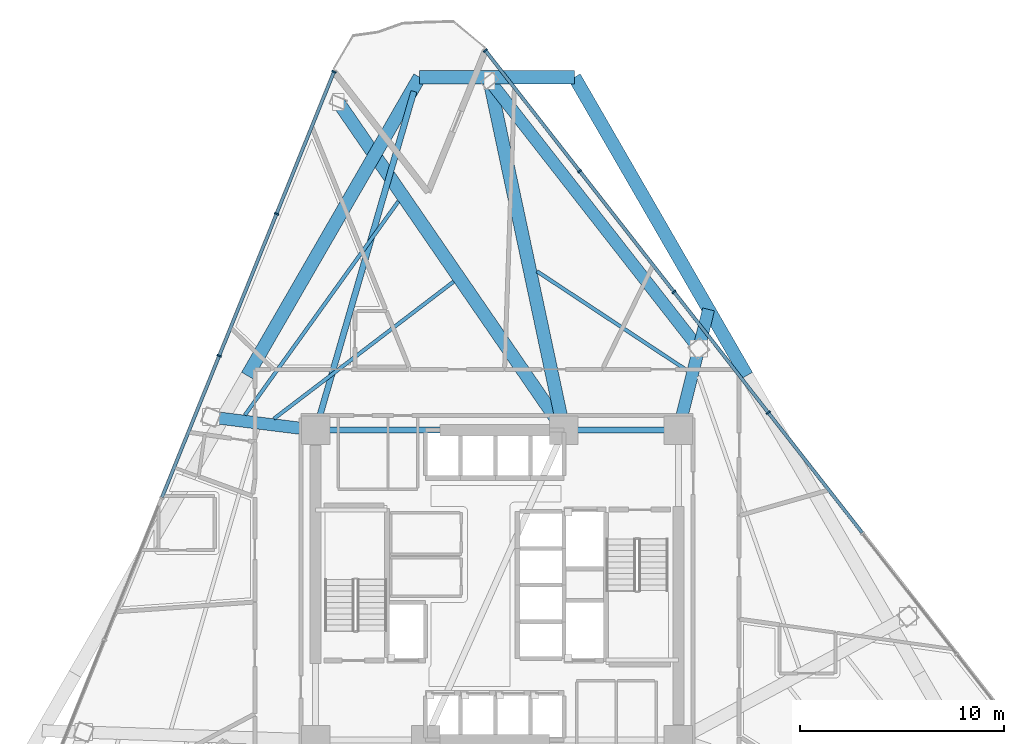
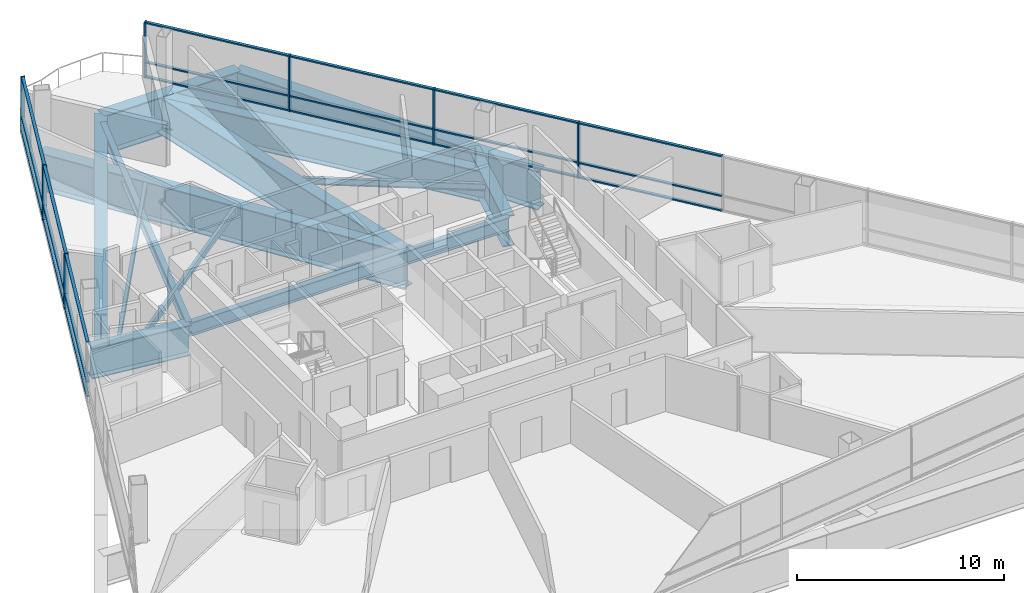
# One storey, part 5 of 15: 28 members, 14 beams, 2 elements without a shape of their own.
"""IFC4 building model written with IfcOpenShell, lengths in metres."""

from ifc_helpers import new_model, si_unit, direction, frame, origin, origin_2d, place, context, subcontext, project, spatial, rectangle, i_section, extrude, material, layer, layer_set, material_profile, profile_set, type_object, element, aggregate, save


model = new_model("IFC4")

# Units and contexts
model_context = context("Model", 3, precision=1e-05, world=origin(), true_north=direction((0.0, 1.0)))
body_context = subcontext(model_context, "Body", "Model", "MODEL_VIEW")
ifc_project = project(units=[si_unit("LENGTHUNIT", "METRE"), si_unit("AREAUNIT", "SQUARE_METRE"), si_unit("VOLUMEUNIT", "CUBIC_METRE"), si_unit("PLANEANGLEUNIT", "RADIAN"), si_unit("MASSUNIT", "GRAM", prefix="KILO")], contexts=[model_context])

# Site, building, storey
site_placement = place(None, origin())
site = spatial("IfcSite", under=ifc_project, at=site_placement, CompositionType="ELEMENT")
building_placement = place(site_placement, origin())
building = spatial("IfcBuilding", under=site, at=building_placement, Name="Tharavind Bronze Gate", CompositionType="ELEMENT")
storey_placement = place(building_placement, frame((0.0, 0.0, 57.0)))
storey = spatial("IfcBuildingStorey", under=building, at=storey_placement, Name="L13", CompositionType="ELEMENT", Elevation=57.0)

# Curtain wall, members
ifc_material_1 = material(Name="Anodised Bronze Aluminium", Category="aluminium")
ifc_layer = layer(ifc_material_1, 0.219970703125)
ifc_layer_set = layer_set([ifc_layer], Name="Anodised Bronze Aluminium")
curtain_wall_type = type_object("IfcCurtainWallType", Name="UNITISED CURTAIN WALL HOTEL", PredefinedType="USERDEFINED", material=ifc_layer_set)
curtain_wall_1_placement = place(storey_placement, origin())
curtain_wall_1 = element("IfcCurtainWall", 1, at=curtain_wall_1_placement, inside=storey, type_object=curtain_wall_type, Name="L13 unitised curtain wall hotel CW-L13-S1", ObjectType="UNITISED CURTAIN WALL", PredefinedType="USERDEFINED")
member_type_1 = type_object("IfcMemberType", Name="CURTAIN WALL MULLION 80X220", PredefinedType="MULLION", material=ifc_material_1)
member_1_placement = place(storey_placement, frame((-8.000732421875, 25.18310546875, 0.0), z_axis=(0.0, 0.0, 1.0), x_axis=(-0.374606593416, -0.927183854567, 0.0)))
member_1 = element("IfcMember", 2, at=member_1_placement, type_object=member_type_1, Name="CW-L13-S1 mullion 1", PredefinedType="MULLION", context=body_context, shape_type="SweptSolid", body=[
    extrude(rectangle(XDim=0.080078125, YDim=0.219970703125, at=origin_2d()), origin(), (0.0, 0.0, 1.0), 3.27490234375),
])
member_2_placement = place(storey_placement, frame((-10.81591796875, 18.215087890625, 0.0), z_axis=(0.0, 0.0, 1.0), x_axis=(-0.374606593416, -0.927183854567, 0.0)))
member_2 = element("IfcMember", 3, at=member_2_placement, type_object=member_type_1, Name="CW-L13-S1 mullion 2", PredefinedType="MULLION", context=body_context, shape_type="SweptSolid", body=[
    extrude(rectangle(XDim=0.080078125, YDim=0.219970703125, at=origin_2d()), origin(), (0.0, 0.0, 1.0), 3.27490234375),
])
member_3_placement = place(storey_placement, frame((-13.631103515625, 11.247314453125, 0.0), z_axis=(0.0, 0.0, 1.0), x_axis=(-0.374606593416, -0.927183854567, 0.0)))
member_3 = element("IfcMember", 4, at=member_3_placement, type_object=member_type_1, Name="CW-L13-S1 mullion 3", PredefinedType="MULLION", context=body_context, shape_type="SweptSolid", body=[
    extrude(rectangle(XDim=0.080078125, YDim=0.219970703125, at=origin_2d()), origin(), (0.0, 0.0, 1.0), 3.27490234375),
])

curtain_wall_2_placement = place(storey_placement, origin())
curtain_wall_2 = element("IfcCurtainWall", 5, at=curtain_wall_2_placement, inside=storey, type_object=curtain_wall_type, Name="L13 unitised curtain wall hotel CW-L13-S3", ObjectType="UNITISED CURTAIN WALL", PredefinedType="USERDEFINED")
member_4_placement = place(storey_placement, frame((13.306396484375, 8.4609375, 0.0), z_axis=(0.0, 0.0, 1.0), x_axis=(-0.615661475326, 0.788010753607, 0.0)))
member_4 = element("IfcMember", 6, at=member_4_placement, type_object=member_type_1, Name="CW-L13-S3 mullion 5", PredefinedType="MULLION", context=body_context, shape_type="SweptSolid", body=[
    extrude(rectangle(XDim=0.080078125, YDim=0.219970703125, at=origin_2d()), origin(), (0.0, 0.0, 1.0), 3.27490234375),
])
member_5_placement = place(storey_placement, frame((8.6796875, 14.383056640625, 0.0), z_axis=(0.0, 0.0, 1.0), x_axis=(-0.615661475326, 0.788010753607, 0.0)))
member_5 = element("IfcMember", 7, at=member_5_placement, type_object=member_type_1, Name="CW-L13-S3 mullion 6", PredefinedType="MULLION", context=body_context, shape_type="SweptSolid", body=[
    extrude(rectangle(XDim=0.080078125, YDim=0.219970703125, at=origin_2d()), origin(), (0.0, 0.0, 1.0), 3.27490234375),
])
member_6_placement = place(storey_placement, frame((4.052978515625, 20.304931640625, 0.0), z_axis=(0.0, 0.0, 1.0), x_axis=(-0.615661475326, 0.788010753607, 0.0)))
member_6 = element("IfcMember", 8, at=member_6_placement, type_object=member_type_1, Name="CW-L13-S3 mullion 7", PredefinedType="MULLION", context=body_context, shape_type="SweptSolid", body=[
    extrude(rectangle(XDim=0.080078125, YDim=0.219970703125, at=origin_2d()), origin(), (0.0, 0.0, 1.0), 3.27490234375),
])
member_7_placement = place(storey_placement, frame((-0.57373046875, 26.226806640625, 0.0), z_axis=(0.0, 0.0, 1.0), x_axis=(-0.615661475326, 0.788010753607, 0.0)))
member_7 = element("IfcMember", 9, at=member_7_placement, type_object=member_type_1, Name="CW-L13-S3 mullion 8", PredefinedType="MULLION", context=body_context, shape_type="SweptSolid", body=[
    extrude(rectangle(XDim=0.080078125, YDim=0.219970703125, at=origin_2d()), origin(), (0.0, 0.0, 1.0), 3.27490234375),
])

# Member
member_type_2 = type_object("IfcMemberType", Name="CURTAIN WALL TRANSOM 80X160", PredefinedType="USERDEFINED", material=ifc_material_1)
member_8_placement = place(storey_placement, frame((-9.408203125, 21.69921875, 0.0), z_axis=(0.0, 0.0, 1.0), x_axis=(-0.374606593416, -0.927183854567, 0.0)))
member_8 = element("IfcMember", 10, at=member_8_placement, type_object=member_type_2, Name="CW-L13-S1 transom TB1", ObjectType="TRANSOM", PredefinedType="USERDEFINED", context=body_context, shape_type="SweptSolid", body=[
    extrude(rectangle(XDim=7.447021484375, YDim=0.159912109375, at=origin_2d()), origin(), (0.0, 0.0, 1.0), 0.080078125),
])

member_9_placement = place(storey_placement, frame((-9.408203125, 21.69921875, 0.85986328125), z_axis=(0.0, 0.0, 1.0), x_axis=(-0.374606593416, -0.927183854567, 0.0)))
member_9 = element("IfcMember", 11, at=member_9_placement, type_object=member_type_2, Name="CW-L13-S1 transom TS1", ObjectType="TRANSOM", PredefinedType="USERDEFINED", context=body_context, shape_type="SweptSolid", body=[
    extrude(rectangle(XDim=7.447021484375, YDim=0.159912109375, at=origin_2d()), origin(), (0.0, 0.0, 1.0), 0.080078125),
])

member_10_placement = place(storey_placement, frame((-9.408203125, 21.69921875, 3.195068359375), z_axis=(0.0, 0.0, 1.0), x_axis=(-0.374606593416, -0.927183854567, 0.0)))
member_10 = element("IfcMember", 12, at=member_10_placement, type_object=member_type_2, Name="CW-L13-S1 transom TT1", ObjectType="TRANSOM", PredefinedType="USERDEFINED", context=body_context, shape_type="SweptSolid", body=[
    extrude(rectangle(XDim=7.447021484375, YDim=0.159912109375, at=origin_2d()), origin(), (0.0, 0.0, 1.0), 0.080078125),
])

member_11_placement = place(storey_placement, frame((-12.223388671875, 14.731201171875, 0.0), z_axis=(0.0, 0.0, 1.0), x_axis=(-0.374606593416, -0.927183854567, 0.0)))
member_11 = element("IfcMember", 13, at=member_11_placement, type_object=member_type_2, Name="CW-L13-S1 transom TB2", ObjectType="TRANSOM", PredefinedType="USERDEFINED", context=body_context, shape_type="SweptSolid", body=[
    extrude(rectangle(XDim=7.447021484375, YDim=0.159912109375, at=origin_2d()), origin(), (0.0, 0.0, 1.0), 0.080078125),
])

member_12_placement = place(storey_placement, frame((-12.223388671875, 14.731201171875, 0.85986328125), z_axis=(0.0, 0.0, 1.0), x_axis=(-0.374606593416, -0.927183854567, 0.0)))
member_12 = element("IfcMember", 14, at=member_12_placement, type_object=member_type_2, Name="CW-L13-S1 transom TS2", ObjectType="TRANSOM", PredefinedType="USERDEFINED", context=body_context, shape_type="SweptSolid", body=[
    extrude(rectangle(XDim=7.447021484375, YDim=0.159912109375, at=origin_2d()), origin(), (0.0, 0.0, 1.0), 0.080078125),
])

member_13_placement = place(storey_placement, frame((-12.223388671875, 14.731201171875, 3.195068359375), z_axis=(0.0, 0.0, 1.0), x_axis=(-0.374606593416, -0.927183854567, 0.0)))
member_13 = element("IfcMember", 15, at=member_13_placement, type_object=member_type_2, Name="CW-L13-S1 transom TT2", ObjectType="TRANSOM", PredefinedType="USERDEFINED", context=body_context, shape_type="SweptSolid", body=[
    extrude(rectangle(XDim=7.447021484375, YDim=0.159912109375, at=origin_2d()), origin(), (0.0, 0.0, 1.0), 0.080078125),
])

member_14_placement = place(storey_placement, frame((-15.038818359375, 7.763427734375, 0.0), z_axis=(0.0, 0.0, 1.0), x_axis=(-0.374606593416, -0.927183854567, 0.0)))
member_14 = element("IfcMember", 16, at=member_14_placement, type_object=member_type_2, Name="CW-L13-S1 transom TB3", ObjectType="TRANSOM", PredefinedType="USERDEFINED", context=body_context, shape_type="SweptSolid", body=[
    extrude(rectangle(XDim=7.447021484375, YDim=0.159912109375, at=origin_2d()), origin(), (0.0, 0.0, 1.0), 0.080078125),
])

member_15_placement = place(storey_placement, frame((-15.038818359375, 7.763427734375, 0.85986328125), z_axis=(0.0, 0.0, 1.0), x_axis=(-0.374606593416, -0.927183854567, 0.0)))
member_15 = element("IfcMember", 17, at=member_15_placement, type_object=member_type_2, Name="CW-L13-S1 transom TS3", ObjectType="TRANSOM", PredefinedType="USERDEFINED", context=body_context, shape_type="SweptSolid", body=[
    extrude(rectangle(XDim=7.447021484375, YDim=0.159912109375, at=origin_2d()), origin(), (0.0, 0.0, 1.0), 0.080078125),
])

member_16_placement = place(storey_placement, frame((-15.038818359375, 7.763427734375, 3.195068359375), z_axis=(0.0, 0.0, 1.0), x_axis=(-0.374606593416, -0.927183854567, 0.0)))
member_16 = element("IfcMember", 18, at=member_16_placement, type_object=member_type_2, Name="CW-L13-S1 transom TT3", ObjectType="TRANSOM", PredefinedType="USERDEFINED", context=body_context, shape_type="SweptSolid", body=[
    extrude(rectangle(XDim=7.447021484375, YDim=0.159912109375, at=origin_2d()), origin(), (0.0, 0.0, 1.0), 0.080078125),
])

aggregate(curtain_wall_1, [member_1, member_2, member_3, member_8, member_9, member_10, member_11, member_12, member_13, member_14, member_15, member_16])

member_17_placement = place(storey_placement, frame((15.619873046875, 5.5, 0.0), z_axis=(0.0, 0.0, 1.0), x_axis=(-0.615661475326, 0.788010753607, 0.0)))
member_17 = element("IfcMember", 19, at=member_17_placement, type_object=member_type_2, Name="CW-L13-S3 transom TB4", ObjectType="TRANSOM", PredefinedType="USERDEFINED", context=body_context, shape_type="SweptSolid", body=[
    extrude(rectangle(XDim=7.447021484375, YDim=0.159912109375, at=origin_2d()), origin(), (0.0, 0.0, 1.0), 0.080078125),
])

member_18_placement = place(storey_placement, frame((15.619873046875, 5.5, 0.85986328125), z_axis=(0.0, 0.0, 1.0), x_axis=(-0.615661475326, 0.788010753607, 0.0)))
member_18 = element("IfcMember", 20, at=member_18_placement, type_object=member_type_2, Name="CW-L13-S3 transom TS4", ObjectType="TRANSOM", PredefinedType="USERDEFINED", context=body_context, shape_type="SweptSolid", body=[
    extrude(rectangle(XDim=7.447021484375, YDim=0.159912109375, at=origin_2d()), origin(), (0.0, 0.0, 1.0), 0.080078125),
])

member_19_placement = place(storey_placement, frame((15.619873046875, 5.5, 3.195068359375), z_axis=(0.0, 0.0, 1.0), x_axis=(-0.615661475326, 0.788010753607, 0.0)))
member_19 = element("IfcMember", 21, at=member_19_placement, type_object=member_type_2, Name="CW-L13-S3 transom TT4", ObjectType="TRANSOM", PredefinedType="USERDEFINED", context=body_context, shape_type="SweptSolid", body=[
    extrude(rectangle(XDim=7.447021484375, YDim=0.159912109375, at=origin_2d()), origin(), (0.0, 0.0, 1.0), 0.080078125),
])

member_20_placement = place(storey_placement, frame((10.9931640625, 11.422119140625, 0.0), z_axis=(0.0, 0.0, 1.0), x_axis=(-0.615661475326, 0.788010753607, 0.0)))
member_20 = element("IfcMember", 22, at=member_20_placement, type_object=member_type_2, Name="CW-L13-S3 transom TB5", ObjectType="TRANSOM", PredefinedType="USERDEFINED", context=body_context, shape_type="SweptSolid", body=[
    extrude(rectangle(XDim=7.447021484375, YDim=0.159912109375, at=origin_2d()), origin(), (0.0, 0.0, 1.0), 0.080078125),
])

member_21_placement = place(storey_placement, frame((10.9931640625, 11.422119140625, 0.85986328125), z_axis=(0.0, 0.0, 1.0), x_axis=(-0.615661475326, 0.788010753607, 0.0)))
member_21 = element("IfcMember", 23, at=member_21_placement, type_object=member_type_2, Name="CW-L13-S3 transom TS5", ObjectType="TRANSOM", PredefinedType="USERDEFINED", context=body_context, shape_type="SweptSolid", body=[
    extrude(rectangle(XDim=7.447021484375, YDim=0.159912109375, at=origin_2d()), origin(), (0.0, 0.0, 1.0), 0.080078125),
])

member_22_placement = place(storey_placement, frame((10.9931640625, 11.422119140625, 3.195068359375), z_axis=(0.0, 0.0, 1.0), x_axis=(-0.615661475326, 0.788010753607, 0.0)))
member_22 = element("IfcMember", 24, at=member_22_placement, type_object=member_type_2, Name="CW-L13-S3 transom TT5", ObjectType="TRANSOM", PredefinedType="USERDEFINED", context=body_context, shape_type="SweptSolid", body=[
    extrude(rectangle(XDim=7.447021484375, YDim=0.159912109375, at=origin_2d()), origin(), (0.0, 0.0, 1.0), 0.080078125),
])

member_23_placement = place(storey_placement, frame((6.366455078125, 17.343994140625, 0.0), z_axis=(0.0, 0.0, 1.0), x_axis=(-0.615661475326, 0.788010753607, 0.0)))
member_23 = element("IfcMember", 25, at=member_23_placement, type_object=member_type_2, Name="CW-L13-S3 transom TB6", ObjectType="TRANSOM", PredefinedType="USERDEFINED", context=body_context, shape_type="SweptSolid", body=[
    extrude(rectangle(XDim=7.447021484375, YDim=0.159912109375, at=origin_2d()), origin(), (0.0, 0.0, 1.0), 0.080078125),
])

member_24_placement = place(storey_placement, frame((6.366455078125, 17.343994140625, 0.85986328125), z_axis=(0.0, 0.0, 1.0), x_axis=(-0.615661475326, 0.788010753607, 0.0)))
member_24 = element("IfcMember", 26, at=member_24_placement, type_object=member_type_2, Name="CW-L13-S3 transom TS6", ObjectType="TRANSOM", PredefinedType="USERDEFINED", context=body_context, shape_type="SweptSolid", body=[
    extrude(rectangle(XDim=7.447021484375, YDim=0.159912109375, at=origin_2d()), origin(), (0.0, 0.0, 1.0), 0.080078125),
])

member_25_placement = place(storey_placement, frame((6.366455078125, 17.343994140625, 3.195068359375), z_axis=(0.0, 0.0, 1.0), x_axis=(-0.615661475326, 0.788010753607, 0.0)))
member_25 = element("IfcMember", 27, at=member_25_placement, type_object=member_type_2, Name="CW-L13-S3 transom TT6", ObjectType="TRANSOM", PredefinedType="USERDEFINED", context=body_context, shape_type="SweptSolid", body=[
    extrude(rectangle(XDim=7.447021484375, YDim=0.159912109375, at=origin_2d()), origin(), (0.0, 0.0, 1.0), 0.080078125),
])

member_26_placement = place(storey_placement, frame((1.73974609375, 23.265869140625, 0.0), z_axis=(0.0, 0.0, 1.0), x_axis=(-0.615661475326, 0.788010753607, 0.0)))
member_26 = element("IfcMember", 28, at=member_26_placement, type_object=member_type_2, Name="CW-L13-S3 transom TB7", ObjectType="TRANSOM", PredefinedType="USERDEFINED", context=body_context, shape_type="SweptSolid", body=[
    extrude(rectangle(XDim=7.447021484375, YDim=0.159912109375, at=origin_2d()), origin(), (0.0, 0.0, 1.0), 0.080078125),
])

member_27_placement = place(storey_placement, frame((1.73974609375, 23.265869140625, 0.85986328125), z_axis=(0.0, 0.0, 1.0), x_axis=(-0.615661475326, 0.788010753607, 0.0)))
member_27 = element("IfcMember", 29, at=member_27_placement, type_object=member_type_2, Name="CW-L13-S3 transom TS7", ObjectType="TRANSOM", PredefinedType="USERDEFINED", context=body_context, shape_type="SweptSolid", body=[
    extrude(rectangle(XDim=7.447021484375, YDim=0.159912109375, at=origin_2d()), origin(), (0.0, 0.0, 1.0), 0.080078125),
])

member_28_placement = place(storey_placement, frame((1.73974609375, 23.265869140625, 3.195068359375), z_axis=(0.0, 0.0, 1.0), x_axis=(-0.615661475326, 0.788010753607, 0.0)))
member_28 = element("IfcMember", 30, at=member_28_placement, type_object=member_type_2, Name="CW-L13-S3 transom TT7", ObjectType="TRANSOM", PredefinedType="USERDEFINED", context=body_context, shape_type="SweptSolid", body=[
    extrude(rectangle(XDim=7.447021484375, YDim=0.159912109375, at=origin_2d()), origin(), (0.0, 0.0, 1.0), 0.080078125),
])

aggregate(curtain_wall_2, [member_4, member_5, member_6, member_7, member_17, member_18, member_19, member_20, member_21, member_22, member_23, member_24, member_25, member_26, member_27, member_28])

# Beams
ifc_material_2 = material(Name="Steel S355", Category="steel")
ifc_material_profile_1 = material_profile(ifc_material_2, i_section(OverallWidth=0.300048828125, OverallDepth=0.64990234375, WebThickness=0.01611328125, FlangeThickness=0.031005859375, at=origin_2d()), Name="HE650B")
ifc_profile_set_1 = profile_set([ifc_material_profile_1], Name="Steel S355")
beam_type_1 = type_object("IfcBeamType", Name="PRIMARY GIRDER HE650B", PredefinedType="USERDEFINED", material=ifc_profile_set_1)
beam_1_placement = place(storey_placement, frame((-8.89990234375, 7.60009765625, -0.514892578125), z_axis=(0.278626347577, 0.960399582693, 0.0), x_axis=(-0.960399582693, 0.278626347577, 0.0)))
element("IfcBeam", 31, at=beam_1_placement, inside=storey, type_object=beam_type_1, Name="L13 primary girder he650b BM-L13-BLCSB", ObjectType="GIRDER", PredefinedType="USERDEFINED", context=body_context, shape_type="SweptSolid", body=[
    extrude(i_section(OverallWidth=0.300048828125, OverallDepth=0.64990234375, WebThickness=0.01611328125, FlangeThickness=0.031005859375, at=origin_2d()), origin(), (0.0, 0.0, 1.0), 17.3046875),
])
ifc_material_profile_2 = material_profile(ifc_material_2, i_section(OverallWidth=0.300048828125, OverallDepth=0.800048828125, WebThickness=0.017578125, FlangeThickness=0.032958984375, at=origin_2d()), Name="HE800B")
ifc_profile_set_2 = profile_set([ifc_material_profile_2], Name="Steel S355")
beam_type_2 = type_object("IfcBeamType", Name="RING GIRDER HE800B", PredefinedType="USERDEFINED", material=ifc_profile_set_2)
beam_2_placement = place(storey_placement, frame((8.89990234375, 7.60009765625, -0.590087890625), z_axis=(-1.0, 0.0, 0.0), x_axis=(0.0, -1.0, 0.0)))
element("IfcBeam", 32, at=beam_2_placement, inside=storey, type_object=beam_type_2, Name="L13 ring girder he800b BM-L13-CR4", ObjectType="GIRDER", PredefinedType="USERDEFINED", context=body_context, shape_type="SweptSolid", body=[
    extrude(i_section(OverallWidth=0.300048828125, OverallDepth=0.800048828125, WebThickness=0.017578125, FlangeThickness=0.032958984375, at=origin_2d()), origin(), (0.0, 0.0, 1.0), 5.619873046875),
])
beam_3_placement = place(storey_placement, frame((3.280029296875, 7.60009765625, -0.590087890625), z_axis=(-1.0, 0.0, 0.0), x_axis=(0.0, -1.0, 0.0)))
element("IfcBeam", 33, at=beam_3_placement, inside=storey, type_object=beam_type_2, Name="L13 ring girder he800b BM-L13-CR5", ObjectType="GIRDER", PredefinedType="USERDEFINED", context=body_context, shape_type="SweptSolid", body=[
    extrude(i_section(OverallWidth=0.300048828125, OverallDepth=0.800048828125, WebThickness=0.017578125, FlangeThickness=0.032958984375, at=origin_2d()), origin(), (0.0, 0.0, 1.0), 12.179931640625),
])
ifc_material_profile_3 = material_profile(ifc_material_2, i_section(OverallWidth=0.179931640625, OverallDepth=0.39990234375, WebThickness=0.008544921875, FlangeThickness=0.013427734375, at=origin_2d()), Name="IPE400")
ifc_profile_set_3 = profile_set([ifc_material_profile_3], Name="Steel S355")
beam_type_3 = type_object("IfcBeamType", Name="SECONDARY FLOOR JOIST IPE400", PredefinedType="JOIST", material=ifc_profile_set_3)
beam_4_placement = place(storey_placement, frame((-2.13037109375, 14.885498046875, -0.389892578125), z_axis=(-0.795039275162, -0.606557953496, 0.0), x_axis=(0.606557953496, -0.795039275162, 0.0)))
element("IfcBeam", 34, at=beam_4_placement, inside=storey, type_object=beam_type_3, Name="L13 secondary floor joist ipe400 BM-L13-JSTA01", PredefinedType="JOIST", context=body_context, shape_type="SweptSolid", body=[
    extrude(i_section(OverallWidth=0.179931640625, OverallDepth=0.39990234375, WebThickness=0.008544921875, FlangeThickness=0.013427734375, at=origin_2d()), origin(), (0.0, 0.0, 1.0), 11.08642578125),
])
beam_5_placement = place(storey_placement, frame((-4.840087890625, 18.825927734375, -0.389892578125), z_axis=(-0.583323884789, -0.812239647785, 0.0), x_axis=(0.812239647785, -0.583323884789, 0.0)))
element("IfcBeam", 35, at=beam_5_placement, inside=storey, type_object=beam_type_3, Name="L13 secondary floor joist ipe400 BM-L13-JSTB01", PredefinedType="JOIST", context=body_context, shape_type="SweptSolid", body=[
    extrude(i_section(OverallWidth=0.179931640625, OverallDepth=0.39990234375, WebThickness=0.008544921875, FlangeThickness=0.013427734375, at=origin_2d()), origin(), (0.0, 0.0, 1.0), 12.91015625),
])
beam_6_placement = place(storey_placement, frame((9.317626953125, 10.533935546875, -0.389892578125), z_axis=(-0.834406010744, 0.551150260124, 0.0), x_axis=(-0.551150260124, -0.834406010744, 0.0)))
element("IfcBeam", 36, at=beam_6_placement, inside=storey, type_object=beam_type_3, Name="L13 secondary floor joist ipe400 BM-L13-JSTA11", PredefinedType="JOIST", context=body_context, shape_type="SweptSolid", body=[
    extrude(i_section(OverallWidth=0.179931640625, OverallDepth=0.39990234375, WebThickness=0.008544921875, FlangeThickness=0.013427734375, at=origin_2d()), origin(), (0.0, 0.0, 1.0), 8.82080078125),
])
ifc_material_3 = material(Name="Steel S460", Category="steel")
ifc_material_profile_4 = material_profile(ifc_material_3, i_section(OverallWidth=0.60009765625, OverallDepth=1.800048828125, WebThickness=0.031982421875, FlangeThickness=0.054931640625, at=origin_2d()), Name="PG1800X600")
ifc_profile_set_4 = profile_set([ifc_material_profile_4], Name="Steel S460")
beam_type_4 = type_object("IfcBeamType", Name="TRANSFER GIRDER 1800X600", PredefinedType="USERDEFINED", material=ifc_profile_set_4)
beam_7_placement = place(storey_placement, frame((9.897705078125, 11.60595703125, -1.090087890625), z_axis=(-0.615665926595, 0.788007275873, 0.0), x_axis=(-0.788007275873, -0.615665926595, 0.0)))
element("IfcBeam", 37, at=beam_7_placement, inside=storey, type_object=beam_type_4, Name="L13 transfer girder 1800x600 BM-L13-URG11", ObjectType="TRANSFER GIRDER", PredefinedType="USERDEFINED", context=body_context, shape_type="SweptSolid", body=[
    extrude(i_section(OverallWidth=0.60009765625, OverallDepth=1.800048828125, WebThickness=0.031982421875, FlangeThickness=0.054931640625, at=origin_2d()), origin(), (0.0, 0.0, 1.0), 16.669189453125),
])
beam_8_placement = place(storey_placement, frame((-8.89990234375, 7.60009765625, -1.090087890625), z_axis=(-0.992277151101, 0.124040539351, 0.0), x_axis=(-0.124040539351, -0.992277151101, 0.0)))
element("IfcBeam", 38, at=beam_8_placement, inside=storey, type_object=beam_type_4, Name="L13 transfer girder 1800x600 BM-L13-XFR02", ObjectType="TRANSFER GIRDER", PredefinedType="USERDEFINED", context=body_context, shape_type="SweptSolid", body=[
    extrude(i_section(OverallWidth=0.60009765625, OverallDepth=1.800048828125, WebThickness=0.031982421875, FlangeThickness=0.054931640625, at=origin_2d()), origin(), (0.0, 0.0, 1.0), 5.176513671875),
])
beam_9_placement = place(storey_placement, frame((8.89990234375, 7.60009765625, -1.090087890625), z_axis=(0.241670396586, 0.970358397405, 0.0), x_axis=(-0.970358397405, 0.241670396586, 0.0)))
element("IfcBeam", 39, at=beam_9_placement, inside=storey, type_object=beam_type_4, Name="L13 transfer girder 1800x600 BM-L13-XFR11", ObjectType="TRANSFER GIRDER", PredefinedType="USERDEFINED", context=body_context, shape_type="SweptSolid", body=[
    extrude(i_section(OverallWidth=0.60009765625, OverallDepth=1.800048828125, WebThickness=0.031982421875, FlangeThickness=0.054931640625, at=origin_2d()), origin(), (0.0, 0.0, 1.0), 6.10888671875),
])
ifc_material_profile_5 = material_profile(ifc_material_3, i_section(OverallWidth=0.64990234375, OverallDepth=2.199951171875, WebThickness=0.035888671875, FlangeThickness=0.054931640625, at=origin_2d()), Name="PG2200X650")
ifc_profile_set_5 = profile_set([ifc_material_profile_5], Name="Steel S460")
beam_type_5 = type_object("IfcBeamType", Name="TRANSFER GIRDER 2200X650", PredefinedType="USERDEFINED", material=ifc_profile_set_5)
beam_10_placement = place(storey_placement, frame((3.280029296875, 7.60009765625, -1.2900390625), z_axis=(-0.566698515553, 0.823925234758, 0.0), x_axis=(-0.823925234758, -0.566698515553, 0.0)))
element("IfcBeam", 40, at=beam_10_placement, inside=storey, type_object=beam_type_5, Name="L13 transfer girder 2200x650 BM-L13-XFR01", ObjectType="TRANSFER GIRDER", PredefinedType="USERDEFINED", context=body_context, shape_type="SweptSolid", body=[
    extrude(i_section(OverallWidth=0.64990234375, OverallDepth=2.199951171875, WebThickness=0.035888671875, FlangeThickness=0.054931640625, at=origin_2d()), origin(), (0.0, 0.0, 1.0), 19.537841796875),
])
beam_11_placement = place(storey_placement, frame((3.280029296875, 7.60009765625, -1.2900390625), z_axis=(-0.207994810128, 0.978129929488, 0.0), x_axis=(-0.978129929488, -0.207994810128, 0.0)))
element("IfcBeam", 41, at=beam_11_placement, inside=storey, type_object=beam_type_5, Name="L13 transfer girder 2200x650 BM-L13-XFR12", ObjectType="TRANSFER GIRDER", PredefinedType="USERDEFINED", context=body_context, shape_type="SweptSolid", body=[
    extrude(i_section(OverallWidth=0.64990234375, OverallDepth=2.199951171875, WebThickness=0.035888671875, FlangeThickness=0.054931640625, at=origin_2d()), origin(), (0.0, 0.0, 1.0), 17.705322265625),
])
ifc_material_profile_6 = material_profile(ifc_material_3, i_section(OverallWidth=0.64990234375, OverallDepth=2.300048828125, WebThickness=0.035888671875, FlangeThickness=0.05810546875, at=origin_2d()), Name="PG2300X650")
ifc_profile_set_6 = profile_set([ifc_material_profile_6], Name="Steel S460")
beam_type_6 = type_object("IfcBeamType", Name="TRANSFER GIRDER 2300X650", PredefinedType="USERDEFINED", material=ifc_profile_set_6)
for number, where, z_axis, x_axis, name in (
    (42, (-3.800048828125, 24.918212890625, -1.340087890625), (-0.499997491977, -0.866026851788, 0.0), (0.866026851788, -0.499997491977, 0.0), "L13 transfer girder 2300x650 BM-L13-LRG01"),
    (43, (12.252197265625, 10.278564453125, -1.340087890625), (-0.499997491977, 0.866026851788, 0.0), (-0.866026851788, -0.499997491977, 0.0), "L13 transfer girder 2300x650 BM-L13-LRG11"),
):
    element("IfcBeam", number, at=place(storey_placement, frame(where, z_axis=z_axis, x_axis=x_axis)), inside=storey, type_object=beam_type_6, Name=name, ObjectType="TRANSFER GIRDER", PredefinedType="USERDEFINED", context=body_context, shape_type="SweptSolid", body=[
        extrude(i_section(OverallWidth=0.64990234375, OverallDepth=2.300048828125, WebThickness=0.035888671875, FlangeThickness=0.05810546875, at=origin_2d()), origin(), (0.0, 0.0, 1.0), 16.904296875),
    ])
beam_12_placement = place(storey_placement, frame((3.800048828125, 24.918212890625, -1.340087890625), z_axis=(-1.0, 0.0, 0.0), x_axis=(0.0, -1.0, 0.0)))
element("IfcBeam", 44, at=beam_12_placement, inside=storey, type_object=beam_type_6, Name="L13 transfer girder 2300x650 BM-L13-LRG12", ObjectType="TRANSFER GIRDER", PredefinedType="USERDEFINED", context=body_context, shape_type="SweptSolid", body=[
    extrude(i_section(OverallWidth=0.64990234375, OverallDepth=2.300048828125, WebThickness=0.035888671875, FlangeThickness=0.05810546875, at=origin_2d()), origin(), (0.0, 0.0, 1.0), 7.60009765625),
])

save(model, "model.ifc")
